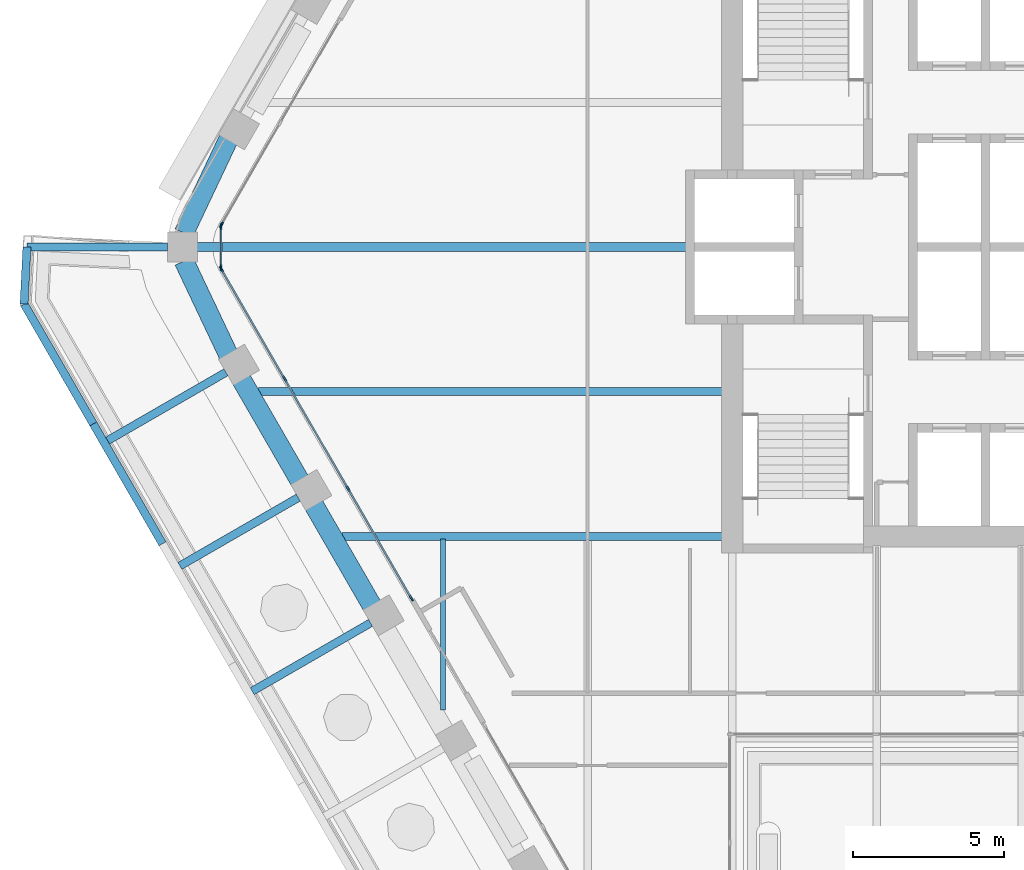
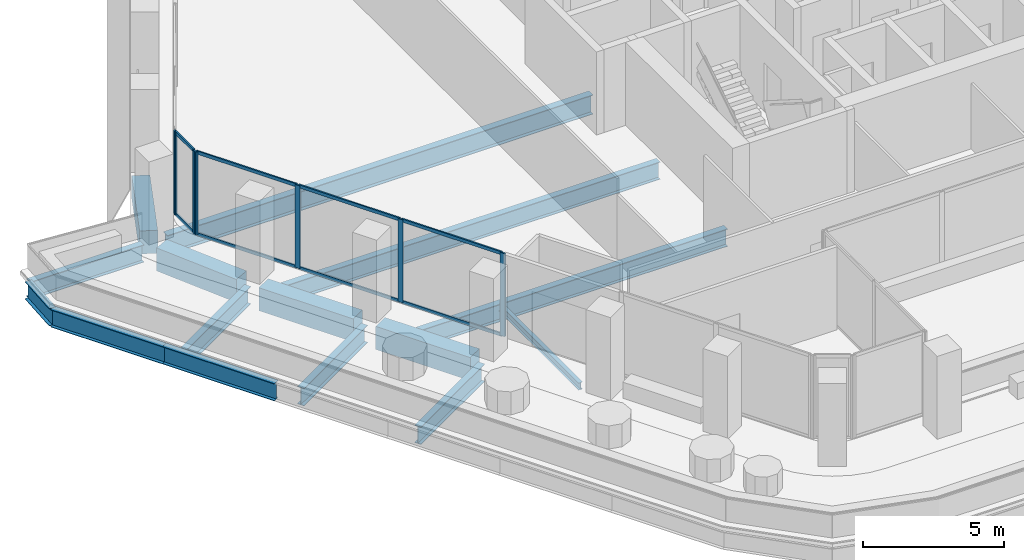
# One storey, part 3 of 18: 15 beams, 15 members, 3 elements without a shape of their own.
"""IFC4 building model written with IfcOpenShell, lengths in metres."""

from ifc_helpers import new_model, si_unit, direction, frame, origin, origin_2d, place, context, subcontext, project, spatial, rectangle, i_section, extrude, material, material_profile, profile_set, type_object, element, aggregate, save


model = new_model("IFC4")

# Units and contexts
model_context = context("Model", 3, precision=1e-05, world=origin(), true_north=direction((0.0, 1.0)))
body_context = subcontext(model_context, "Body", "Model", "MODEL_VIEW")
ifc_project = project(units=[si_unit("LENGTHUNIT", "METRE"), si_unit("AREAUNIT", "SQUARE_METRE"), si_unit("VOLUMEUNIT", "CUBIC_METRE"), si_unit("PLANEANGLEUNIT", "RADIAN"), si_unit("MASSUNIT", "GRAM", prefix="KILO")], contexts=[model_context])

# Site, building, storey
site_placement = place(None, origin())
site = spatial("IfcSite", under=ifc_project, at=site_placement, CompositionType="ELEMENT")
building_placement = place(site_placement, origin())
building = spatial("IfcBuilding", under=site, at=building_placement, Name="Kolab Exchange Tower", CompositionType="ELEMENT")
storey_placement = place(building_placement, frame((0.0, 0.0, 212.89990234375)))
storey = spatial("IfcBuildingStorey", under=building, at=storey_placement, Name="L46", CompositionType="ELEMENT", Elevation=212.89990234375)

# Beams
ifc_material_1 = material(Name="Steel S355", Category="steel")
ifc_material_profile_1 = material_profile(ifc_material_1, i_section(OverallWidth=0.1650390625, OverallDepth=0.31005859375, WebThickness=0.005859375, FlangeThickness=0.009765625, at=origin_2d()), Name="W310X39")
ifc_profile_set_1 = profile_set([ifc_material_profile_1], Name="Steel S355")
beam_type_1 = type_object("IfcBeamType", Name="FLOOR BEAM W310X39", PredefinedType="BEAM", material=ifc_profile_set_1)
beam_1_placement = place(storey_placement, frame((-19.199951171875, -15.36767578125, -0.304931640625), z_axis=(0.0, 1.0, 0.0), x_axis=(-1.0, 0.0, 0.0)))
element("IfcBeam", 1, at=beam_1_placement, inside=storey, type_object=beam_type_1, Name="beam/L46/fr/003", PredefinedType="BEAM", context=body_context, shape_type="SweptSolid", body=[
    extrude(i_section(OverallWidth=0.1650390625, OverallDepth=0.31005859375, WebThickness=0.005859375, FlangeThickness=0.009765625, at=origin_2d()), origin(), (0.0, 0.0, 1.0), 5.674072265625),
])
ifc_material_profile_2 = material_profile(ifc_material_1, i_section(OverallWidth=0.26708984375, OverallDepth=0.761962890625, WebThickness=0.014404296875, FlangeThickness=0.021484375, at=origin_2d()), Name="W760X173")
ifc_profile_set_2 = profile_set([ifc_material_profile_2], Name="Steel S355")
beam_type_2 = type_object("IfcBeamType", Name="FLOOR BEAM W760X173", PredefinedType="BEAM", material=ifc_profile_set_2)
beam_2_placement = place(storey_placement, frame((-25.318115234375, -4.800048828125, -0.531005859375), z_axis=(1.0, 0.0, 0.0), x_axis=(0.0, 1.0, 0.0)))
element("IfcBeam", 2, at=beam_2_placement, inside=storey, type_object=beam_type_2, Name="beam/L46/fr/001", PredefinedType="BEAM", context=body_context, shape_type="SweptSolid", body=[
    extrude(i_section(OverallWidth=0.26708984375, OverallDepth=0.761962890625, WebThickness=0.014404296875, FlangeThickness=0.021484375, at=origin_2d()), origin(), (0.0, 0.0, 1.0), 15.408203125),
])
ifc_material_profile_3 = material_profile(ifc_material_1, i_section(OverallWidth=0.2919921875, OverallDepth=0.840087890625, WebThickness=0.0146484375, FlangeThickness=0.021728515625, at=origin_2d()), Name="W840X193")
ifc_profile_set_3 = profile_set([ifc_material_profile_3], Name="Steel S355")
beam_type_3 = type_object("IfcBeamType", Name="FLOOR BEAM W840X193", PredefinedType="BEAM", material=ifc_profile_set_3)
beam_3_placement = place(storey_placement, frame((-27.3759765625, 0.0, -0.56982421875), z_axis=(1.0, 0.0, 0.0), x_axis=(0.0, 1.0, 0.0)))
element("IfcBeam", 3, at=beam_3_placement, inside=storey, type_object=beam_type_3, Name="beam/L46/fr/000", PredefinedType="BEAM", context=body_context, shape_type="SweptSolid", body=[
    extrude(i_section(OverallWidth=0.2919921875, OverallDepth=0.840087890625, WebThickness=0.0146484375, FlangeThickness=0.021728515625, at=origin_2d()), origin(), (0.0, 0.0, 1.0), 17.466064453125),
])
ifc_material_profile_4 = material_profile(ifc_material_1, i_section(OverallWidth=0.26708984375, OverallDepth=0.761962890625, WebThickness=0.014404296875, FlangeThickness=0.021484375, at=origin_2d()), Name="W760X173")
ifc_profile_set_4 = profile_set([ifc_material_profile_4], Name="Steel S355")
beam_type_4 = type_object("IfcBeamType", Name="FLOOR GIRDER W760X173", PredefinedType="BEAM", material=ifc_profile_set_4)
beam_4_placement = place(storey_placement, frame((-22.546875, -9.60009765625, -0.531005859375), z_axis=(1.0, 0.0, 0.0), x_axis=(0.0, 1.0, 0.0)))
element("IfcBeam", 4, at=beam_4_placement, inside=storey, type_object=beam_type_4, Name="beam/L46/gd/000", PredefinedType="BEAM", context=body_context, shape_type="SweptSolid", body=[
    extrude(i_section(OverallWidth=0.26708984375, OverallDepth=0.761962890625, WebThickness=0.014404296875, FlangeThickness=0.021484375, at=origin_2d()), origin(), (0.0, 0.0, 1.0), 12.636962890625),
])
beam_5_placement = place(storey_placement, frame((-21.60009765625, -12.470703125, -0.5908203125), z_axis=(-0.866007095043, -0.500031710329, 0.0), x_axis=(0.500031710329, -0.866007095043, 0.0)))
element("IfcBeam", 5, at=beam_5_placement, inside=storey, type_object=beam_type_4, Name="beam/L46/ledge/rib-09", PredefinedType="BEAM", context=body_context, shape_type="SweptSolid", body=[
    extrude(i_section(OverallWidth=0.26708984375, OverallDepth=0.761962890625, WebThickness=0.014404296875, FlangeThickness=0.021484375, at=origin_2d()), origin(), (0.0, 0.0, 1.0), 4.532958984375),
])
beam_6_placement = place(storey_placement, frame((-24.0, -8.313720703125, -0.5908203125), z_axis=(-0.866020560687, -0.500008388397, 0.0), x_axis=(0.500008388397, -0.866020560687, 0.0)))
element("IfcBeam", 6, at=beam_6_placement, inside=storey, type_object=beam_type_4, Name="beam/L46/ledge/rib-10", PredefinedType="BEAM", context=body_context, shape_type="SweptSolid", body=[
    extrude(i_section(OverallWidth=0.26708984375, OverallDepth=0.761962890625, WebThickness=0.014404296875, FlangeThickness=0.021484375, at=origin_2d()), origin(), (0.0, 0.0, 1.0), 4.533203125),
])
beam_7_placement = place(storey_placement, frame((-26.39990234375, -4.156982421875, -0.5908203125), z_axis=(-0.866043881399, -0.499967994467, 0.0), x_axis=(0.499967994467, -0.866043881399, 0.0)))
element("IfcBeam", 7, at=beam_7_placement, inside=storey, type_object=beam_type_4, Name="beam/L46/ledge/rib-11", PredefinedType="BEAM", context=body_context, shape_type="SweptSolid", body=[
    extrude(i_section(OverallWidth=0.26708984375, OverallDepth=0.761962890625, WebThickness=0.014404296875, FlangeThickness=0.021484375, at=origin_2d()), origin(), (0.0, 0.0, 1.0), 4.532958984375),
])
beam_8_placement = place(storey_placement, frame((-28.3359375, 0.0, -0.5908203125), z_axis=(-1.0, 0.0, 0.0), x_axis=(0.0, -1.0, 0.0)))
element("IfcBeam", 8, at=beam_8_placement, inside=storey, type_object=beam_type_4, Name="beam/L46/ledge/rib-12", PredefinedType="BEAM", context=body_context, shape_type="SweptSolid", body=[
    extrude(i_section(OverallWidth=0.26708984375, OverallDepth=0.761962890625, WebThickness=0.014404296875, FlangeThickness=0.021484375, at=origin_2d()), origin(), (0.0, 0.0, 1.0), 4.66650390625),
])
beam_9_placement = place(storey_placement, frame((-28.50341796875, -9.846435546875, -0.5908203125), z_axis=(-0.500026097828, 0.866010335672, 0.0), x_axis=(-0.866010335672, -0.500026097828, 0.0)))
element("IfcBeam", 9, at=beam_9_placement, inside=storey, type_object=beam_type_4, Name="beam/L46/ledge/edge-13", PredefinedType="BEAM", context=body_context, shape_type="SweptSolid", body=[
    extrude(i_section(OverallWidth=0.26708984375, OverallDepth=0.761962890625, WebThickness=0.014404296875, FlangeThickness=0.021484375, at=origin_2d()), origin(), (0.0, 0.0, 1.0), 4.593505859375),
])
beam_10_placement = place(storey_placement, frame((-30.80029296875, -5.868408203125, -0.5908203125), z_axis=(-0.499980071345, 0.866036909293, 0.0), x_axis=(-0.866036909293, -0.499980071345, 0.0)))
element("IfcBeam", 10, at=beam_10_placement, inside=storey, type_object=beam_type_4, Name="beam/L46/ledge/edge-14", PredefinedType="BEAM", context=body_context, shape_type="SweptSolid", body=[
    extrude(i_section(OverallWidth=0.26708984375, OverallDepth=0.761962890625, WebThickness=0.014404296875, FlangeThickness=0.021484375, at=origin_2d()), origin(), (0.0, 0.0, 1.0), 4.593994140625),
])
beam_11_placement = place(storey_placement, frame((-33.09716796875, -1.889892578125, -0.5908203125), z_axis=(0.049931181973, 0.998752660606, 0.0), x_axis=(-0.998752660606, 0.049931181973, 0.0)))
element("IfcBeam", 11, at=beam_11_placement, inside=storey, type_object=beam_type_4, Name="beam/L46/ledge/edge-15", PredefinedType="BEAM", context=body_context, shape_type="SweptSolid", body=[
    extrude(i_section(OverallWidth=0.26708984375, OverallDepth=0.761962890625, WebThickness=0.014404296875, FlangeThickness=0.021484375, at=origin_2d()), origin(), (0.0, 0.0, 1.0), 1.892333984375),
])
ifc_material_2 = material(Name="Concrete C60/75", Category="concrete")
ifc_material_profile_5 = material_profile(ifc_material_2, rectangle(XDim=0.64990234375, YDim=1.0, at=origin_2d()), Name="RC650X1000")
ifc_profile_set_5 = profile_set([ifc_material_profile_5], Name="Concrete C60/75")
beam_type_5 = type_object("IfcBeamType", Name="SPANDREL BEAM 650X1000 C60/75", PredefinedType="BEAM", material=ifc_profile_set_5)
for number, where, z_axis, x_axis, name in (
    (12, (-21.548583984375, -11.909912109375, -0.64990234375), (-0.499996613652, 0.866027358884, 0.0), (-0.866027358884, -0.499996613652, 0.0), "beam/L46/sp/F5-04"),
    (13, (-23.948486328125, -7.7529296875, -0.64990234375), (-0.499996613652, 0.866027358884, 0.0), (-0.866027358884, -0.499996613652, 0.0), "beam/L46/sp/F5-05"),
):
    element("IfcBeam", number, at=place(storey_placement, frame(where, z_axis=z_axis, x_axis=x_axis)), inside=storey, type_object=beam_type_5, Name=name, PredefinedType="BEAM", context=body_context, shape_type="SweptSolid", body=[
        extrude(rectangle(XDim=0.64990234375, YDim=1.0, at=origin_2d()), origin(), (0.0, 0.0, 1.0), 3.8798828125),
    ])
for number, where, z_axis, x_axis, name in (
    (14, (-26.316162109375, -3.5771484375, -0.64990234375), (-0.428177731975, 0.903694544545, 0.0), (-0.903694544545, -0.428177731975, 0.0), "beam/L46/sp/F5-06"),
    (15, (-27.791259765625, 0.4638671875, -0.64990234375), (0.428177731975, 0.903694544545, 0.0), (-0.903694544545, 0.428177731975, 0.0), "beam/L46/sp/F6-01"),
):
    element("IfcBeam", number, at=place(storey_placement, frame(where, z_axis=z_axis, x_axis=x_axis)), inside=storey, type_object=beam_type_5, Name=name, PredefinedType="BEAM", context=body_context, shape_type="SweptSolid", body=[
        extrude(rectangle(XDim=0.64990234375, YDim=1.0, at=origin_2d()), origin(), (0.0, 0.0, 1.0), 3.445068359375),
    ])

# Curtain wall, members
ifc_material_3 = material(Name="Aluminium EN AW-6063 T6", Category="aluminium")
curtain_wall_type = type_object("IfcCurtainWallType", Name="UNITISED UPPER MID ZONE CURTAIN WALL", PredefinedType="NOTDEFINED", material=ifc_material_3)
curtain_wall_1_placement = place(storey_placement, origin())
curtain_wall_1 = element("IfcCurtainWall", 16, at=curtain_wall_1_placement, inside=storey, type_object=curtain_wall_type, Name="cw/L46/F5-2", PredefinedType="NOTDEFINED")
ifc_material_profile_6 = material_profile(ifc_material_3, rectangle(XDim=0.06005859375, YDim=0.199951171875, at=origin_2d()), Name="RECT 60X200")
ifc_profile_set_6 = profile_set([ifc_material_profile_6], Name="Aluminium EN AW-6063 T6")
member_type_1 = type_object("IfcMemberType", Name="UNITISED UPPER MID ZONE MULLION 60 X 200", PredefinedType="MULLION", material=ifc_profile_set_6)
member_1_placement = place(storey_placement, frame((-20.24658203125, -11.65478515625, 0.0), z_axis=(0.0, 0.0, 1.0), x_axis=(-0.866025427826, -0.499999958358, 0.0)))
member_1 = element("IfcMember", 17, at=member_1_placement, type_object=member_type_1, Name="CW3 mullion 1", PredefinedType="MULLION", context=body_context, shape_type="SweptSolid", body=[
    extrude(rectangle(XDim=0.06005859375, YDim=0.199951171875, at=origin_2d()), origin(), (0.0, 0.0, 1.0), 3.60009765625),
])
member_2_placement = place(storey_placement, frame((-22.343017578125, -8.02392578125, 0.0), z_axis=(0.0, 0.0, 1.0), x_axis=(-0.866025427826, -0.499999958358, 0.0)))
member_2 = element("IfcMember", 18, at=member_2_placement, type_object=member_type_1, Name="CW3 mullion 2", PredefinedType="MULLION", context=body_context, shape_type="SweptSolid", body=[
    extrude(rectangle(XDim=0.06005859375, YDim=0.199951171875, at=origin_2d()), origin(), (0.0, 0.0, 1.0), 3.60009765625),
])
member_3_placement = place(storey_placement, frame((-24.454345703125, -4.366943359375, 0.0), z_axis=(0.0, 0.0, 1.0), x_axis=(-0.866025427826, -0.499999958358, 0.0)))
member_3 = element("IfcMember", 19, at=member_3_placement, type_object=member_type_1, Name="CW3 mullion 3", PredefinedType="MULLION", context=body_context, shape_type="SweptSolid", body=[
    extrude(rectangle(XDim=0.06005859375, YDim=0.199951171875, at=origin_2d()), origin(), (0.0, 0.0, 1.0), 3.60009765625),
])
member_4_placement = place(storey_placement, frame((-26.550537109375, -0.736083984375, 0.0), z_axis=(0.0, 0.0, 1.0), x_axis=(-0.866025427826, -0.499999958358, 0.0)))
member_4 = element("IfcMember", 20, at=member_4_placement, type_object=member_type_1, Name="CW3 mullion 4", PredefinedType="MULLION", context=body_context, shape_type="SweptSolid", body=[
    extrude(rectangle(XDim=0.06005859375, YDim=0.199951171875, at=origin_2d()), origin(), (0.0, 0.0, 1.0), 3.60009765625),
])

# Curtain wall, member
curtain_wall_2_placement = place(storey_placement, origin())
curtain_wall_2 = element("IfcCurtainWall", 21, at=curtain_wall_2_placement, inside=storey, type_object=curtain_wall_type, Name="cw/L46/F6-1", PredefinedType="NOTDEFINED")
member_5_placement = place(storey_placement, frame((-26.550537109375, 0.736083984375, 0.0), z_axis=(0.0, 0.0, 1.0), x_axis=(-0.866025440524, 0.499999936366, 0.0)))
member_5 = element("IfcMember", 22, at=member_5_placement, type_object=member_type_1, Name="CW3 mullion 1", PredefinedType="MULLION", context=body_context, shape_type="SweptSolid", body=[
    extrude(rectangle(XDim=0.06005859375, YDim=0.199951171875, at=origin_2d()), origin(), (0.0, 0.0, 1.0), 3.60009765625),
])
aggregate(curtain_wall_2, [member_5])

# Curtain wall, members
curtain_wall_3_placement = place(storey_placement, origin())
curtain_wall_3 = element("IfcCurtainWall", 23, at=curtain_wall_3_placement, inside=storey, type_object=curtain_wall_type, Name="cw/L46/F5F6-corner", PredefinedType="NOTDEFINED")
member_6_placement = place(storey_placement, frame((-26.565673828125, -0.679931640625, 0.0), z_axis=(0.0, 0.0, 1.0), x_axis=(-1.0, 0.0, 0.0)))
member_6 = element("IfcMember", 24, at=member_6_placement, type_object=member_type_1, Name="CW3 mullion 1", PredefinedType="MULLION", context=body_context, shape_type="SweptSolid", body=[
    extrude(rectangle(XDim=0.06005859375, YDim=0.199951171875, at=origin_2d()), origin(), (0.0, 0.0, 1.0), 3.60009765625),
])
member_7_placement = place(storey_placement, frame((-26.565673828125, 0.679931640625, 0.0), z_axis=(0.0, 0.0, 1.0), x_axis=(-1.0, 0.0, 0.0)))
member_7 = element("IfcMember", 25, at=member_7_placement, type_object=member_type_1, Name="CW3 mullion 2", PredefinedType="MULLION", context=body_context, shape_type="SweptSolid", body=[
    extrude(rectangle(XDim=0.06005859375, YDim=0.199951171875, at=origin_2d()), origin(), (0.0, 0.0, 1.0), 3.60009765625),
])

# Member
ifc_material_profile_7 = material_profile(ifc_material_3, rectangle(XDim=0.06005859375, YDim=0.139892578125, at=origin_2d()), Name="RECT 60X140")
ifc_profile_set_7 = profile_set([ifc_material_profile_7], Name="Aluminium EN AW-6063 T6")
member_type_2 = type_object("IfcMemberType", Name="UNITISED UPPER MID ZONE TRANSOM 60 X 140", PredefinedType="USERDEFINED", material=ifc_profile_set_7)
member_8_placement = place(storey_placement, frame((-20.26171875, -11.62890625, 0.030029296875), z_axis=(-0.500001996123, 0.866024251319, 0.0), x_axis=(-0.866024251319, -0.500001996123, 0.0)))
member_8 = element("IfcMember", 26, at=member_8_placement, type_object=member_type_2, Name="CW3 transom 1.1", ObjectType="TRANSOM", PredefinedType="USERDEFINED", context=body_context, shape_type="SweptSolid", body=[
    extrude(rectangle(XDim=0.06005859375, YDim=0.139892578125, at=origin_2d()), origin(), (0.0, 0.0, 1.0), 4.1328125),
])

member_9_placement = place(storey_placement, frame((-20.26171875, -11.62890625, 3.570068359375), z_axis=(-0.500001996123, 0.866024251319, 0.0), x_axis=(-0.866024251319, -0.500001996123, 0.0)))
member_9 = element("IfcMember", 27, at=member_9_placement, type_object=member_type_2, Name="CW3 transom 1.2", ObjectType="TRANSOM", PredefinedType="USERDEFINED", context=body_context, shape_type="SweptSolid", body=[
    extrude(rectangle(XDim=0.06005859375, YDim=0.139892578125, at=origin_2d()), origin(), (0.0, 0.0, 1.0), 4.1328125),
])

member_10_placement = place(storey_placement, frame((-22.35791015625, -7.997802734375, 0.030029296875), z_axis=(-0.49999322259, 0.866029316688, 0.0), x_axis=(-0.866029316688, -0.49999322259, 0.0)))
member_10 = element("IfcMember", 28, at=member_10_placement, type_object=member_type_2, Name="CW3 transom 2.1", ObjectType="TRANSOM", PredefinedType="USERDEFINED", context=body_context, shape_type="SweptSolid", body=[
    extrude(rectangle(XDim=0.06005859375, YDim=0.139892578125, at=origin_2d()), origin(), (0.0, 0.0, 1.0), 4.16259765625),
])

member_11_placement = place(storey_placement, frame((-22.35791015625, -7.997802734375, 3.570068359375), z_axis=(-0.49999322259, 0.866029316688, 0.0), x_axis=(-0.866029316688, -0.49999322259, 0.0)))
member_11 = element("IfcMember", 29, at=member_11_placement, type_object=member_type_2, Name="CW3 transom 2.2", ObjectType="TRANSOM", PredefinedType="USERDEFINED", context=body_context, shape_type="SweptSolid", body=[
    extrude(rectangle(XDim=0.06005859375, YDim=0.139892578125, at=origin_2d()), origin(), (0.0, 0.0, 1.0), 4.16259765625),
])

member_12_placement = place(storey_placement, frame((-24.46923828125, -4.3408203125, 0.030029296875), z_axis=(-0.500027577057, 0.866009481578, 0.0), x_axis=(-0.866009481578, -0.500027577057, 0.0)))
member_12 = element("IfcMember", 30, at=member_12_placement, type_object=member_type_2, Name="CW3 transom 3.1", ObjectType="TRANSOM", PredefinedType="USERDEFINED", context=body_context, shape_type="SweptSolid", body=[
    extrude(rectangle(XDim=0.06005859375, YDim=0.139892578125, at=origin_2d()), origin(), (0.0, 0.0, 1.0), 4.132568359375),
])

member_13_placement = place(storey_placement, frame((-24.46923828125, -4.3408203125, 3.570068359375), z_axis=(-0.500027577057, 0.866009481578, 0.0), x_axis=(-0.866009481578, -0.500027577057, 0.0)))
member_13 = element("IfcMember", 31, at=member_13_placement, type_object=member_type_2, Name="CW3 transom 3.2", ObjectType="TRANSOM", PredefinedType="USERDEFINED", context=body_context, shape_type="SweptSolid", body=[
    extrude(rectangle(XDim=0.06005859375, YDim=0.139892578125, at=origin_2d()), origin(), (0.0, 0.0, 1.0), 4.132568359375),
])

aggregate(curtain_wall_1, [member_1, member_2, member_3, member_4, member_8, member_9, member_10, member_11, member_12, member_13])

member_14_placement = place(storey_placement, frame((-26.565673828125, -0.64990234375, 0.030029296875), z_axis=(0.0, 1.0, 0.0), x_axis=(-1.0, 0.0, 0.0)))
member_14 = element("IfcMember", 32, at=member_14_placement, type_object=member_type_2, Name="CW3 transom 1.1", ObjectType="TRANSOM", PredefinedType="USERDEFINED", context=body_context, shape_type="SweptSolid", body=[
    extrude(rectangle(XDim=0.06005859375, YDim=0.139892578125, at=origin_2d()), origin(), (0.0, 0.0, 1.0), 1.2998046875),
])

member_15_placement = place(storey_placement, frame((-26.565673828125, -0.64990234375, 3.570068359375), z_axis=(0.0, 1.0, 0.0), x_axis=(-1.0, 0.0, 0.0)))
member_15 = element("IfcMember", 33, at=member_15_placement, type_object=member_type_2, Name="CW3 transom 1.2", ObjectType="TRANSOM", PredefinedType="USERDEFINED", context=body_context, shape_type="SweptSolid", body=[
    extrude(rectangle(XDim=0.06005859375, YDim=0.139892578125, at=origin_2d()), origin(), (0.0, 0.0, 1.0), 1.2998046875),
])

aggregate(curtain_wall_3, [member_6, member_7, member_14, member_15])

save(model, "model.ifc")
